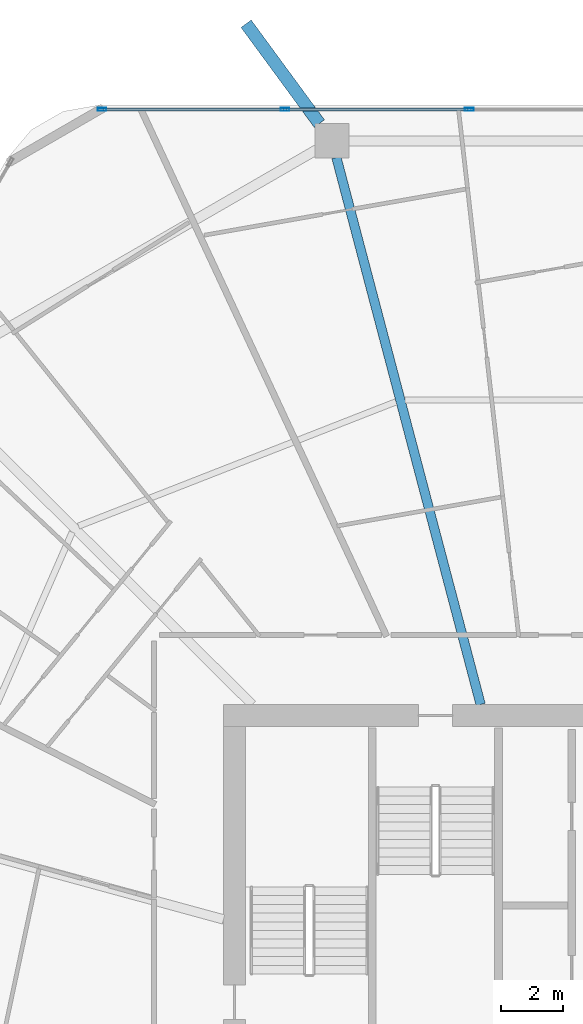
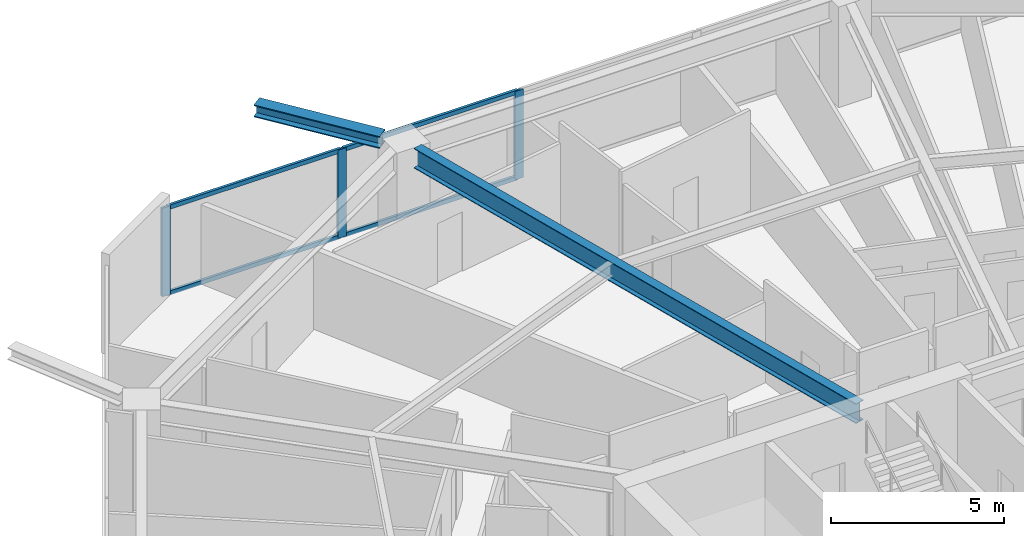
# One storey, part 14 of 29: 7 members, 2 beams, 1 element without a shape of its own.
"""IFC4 building model written with IfcOpenShell, lengths in metres."""

from ifc_helpers import new_model, si_unit, direction, frame, origin, origin_2d, place, context, subcontext, project, spatial, hollow_rectangle, i_section, extrude, material, material_profile, profile_set, type_object, element, aggregate, save


model = new_model("IFC4")

# Units and contexts
model_context = context("Model", 3, precision=1e-05, world=origin(), true_north=direction((0.0, 1.0)))
body_context = subcontext(model_context, "Body", "Model", "MODEL_VIEW")
ifc_project = project(units=[si_unit("LENGTHUNIT", "METRE"), si_unit("AREAUNIT", "SQUARE_METRE"), si_unit("VOLUMEUNIT", "CUBIC_METRE"), si_unit("PLANEANGLEUNIT", "RADIAN"), si_unit("MASSUNIT", "GRAM", prefix="KILO")], contexts=[model_context])

# Site, building, storey
site_placement = place(None, origin())
site = spatial("IfcSite", under=ifc_project, at=site_placement, CompositionType="ELEMENT")
building_placement = place(site_placement, origin())
building = spatial("IfcBuilding", under=site, at=building_placement, Name="Zuhravey Tower", CompositionType="ELEMENT")
storey_placement = place(building_placement, frame((0.0, 0.0, 134.199951171875)))
storey = spatial("IfcBuildingStorey", under=building, at=storey_placement, Name="L33", CompositionType="ELEMENT", Elevation=134.199951171875)

# Curtain wall, members
ifc_material_1 = material(Name="Thermally broken anodised aluminium", Category="aluminium")
curtain_wall_type = type_object("IfcCurtainWallType", Name="Zone 1-2 Residential Curtain Wall CW3", PredefinedType="NOTDEFINED", material=ifc_material_1)
curtain_wall_placement = place(storey_placement, origin())
curtain_wall = element("IfcCurtainWall", 1, at=curtain_wall_placement, inside=storey, type_object=curtain_wall_type, Name="L33 CW3 CW-L33-F2-1", PredefinedType="NOTDEFINED")
ifc_material_2 = material(Name="Anodised aluminium", Category="aluminium")
ifc_material_profile_1 = material_profile(ifc_material_2, hollow_rectangle(XDim=0.090087890625, YDim=0.284912109375, WallThickness=0.0048828125, at=origin_2d()), Name="ALU-RHS-90x285x5")
ifc_profile_set_1 = profile_set([ifc_material_profile_1], Name="Anodised aluminium")
member_type_1 = type_object("IfcMemberType", Name="Curtain-Wall Mullion 90x180", PredefinedType="MULLION", material=ifc_profile_set_1)
member_1_placement = place(storey_placement, frame((21.24560546875, 60.95849609375, 0.0), z_axis=(0.0, 0.0, 1.0), x_axis=(0.0, 1.0, 0.0)))
member_1 = element("IfcMember", 2, at=member_1_placement, type_object=member_type_1, Name="CW3 mullion 1", PredefinedType="MULLION", context=body_context, shape_type="SweptSolid", body=[
    extrude(hollow_rectangle(XDim=0.090087890625, YDim=0.284912109375, WallThickness=0.0048828125, at=origin_2d()), origin(), (0.0, 0.0, 1.0), 3.1220703125),
])
member_2_placement = place(storey_placement, frame((27.120361328125, 60.95849609375, 0.0), z_axis=(0.0, 0.0, 1.0), x_axis=(0.0, 1.0, 0.0)))
member_2 = element("IfcMember", 3, at=member_2_placement, type_object=member_type_1, Name="CW3 mullion 2", PredefinedType="MULLION", context=body_context, shape_type="SweptSolid", body=[
    extrude(hollow_rectangle(XDim=0.090087890625, YDim=0.284912109375, WallThickness=0.0048828125, at=origin_2d()), origin(), (0.0, 0.0, 1.0), 3.1220703125),
])
member_3_placement = place(storey_placement, frame((33.0400390625, 60.95849609375, 0.0), z_axis=(0.0, 0.0, 1.0), x_axis=(0.0, 1.0, 0.0)))
member_3 = element("IfcMember", 4, at=member_3_placement, type_object=member_type_1, Name="CW3 mullion 3", PredefinedType="MULLION", context=body_context, shape_type="SweptSolid", body=[
    extrude(hollow_rectangle(XDim=0.090087890625, YDim=0.284912109375, WallThickness=0.0048828125, at=origin_2d()), origin(), (0.0, 0.0, 1.0), 3.1220703125),
])
ifc_material_profile_2 = material_profile(ifc_material_2, hollow_rectangle(XDim=0.090087890625, YDim=0.14990234375, WallThickness=0.0048828125, at=origin_2d()), Name="ALU-RHS-90x150x5")
ifc_profile_set_2 = profile_set([ifc_material_profile_2], Name="Anodised aluminium")
member_type_2 = type_object("IfcMemberType", Name="Curtain-Wall Transom 90x150", PredefinedType="USERDEFINED", material=ifc_profile_set_2)
member_4_placement = place(storey_placement, frame((21.29052734375, 60.95849609375, 0.045166015625), z_axis=(1.0, 0.0, 0.0), x_axis=(0.0, 1.0, 0.0)))
member_4 = element("IfcMember", 5, at=member_4_placement, type_object=member_type_2, Name="CW3 transom 1.1", ObjectType="TRANSOM", PredefinedType="USERDEFINED", context=body_context, shape_type="SweptSolid", body=[
    extrude(hollow_rectangle(XDim=0.090087890625, YDim=0.14990234375, WallThickness=0.0048828125, at=origin_2d()), origin(), (0.0, 0.0, 1.0), 5.78466796875),
])
member_5_placement = place(storey_placement, frame((21.29052734375, 60.95849609375, 3.0771484375), z_axis=(1.0, 0.0, 0.0), x_axis=(0.0, 1.0, 0.0)))
member_5 = element("IfcMember", 6, at=member_5_placement, type_object=member_type_2, Name="CW3 transom 1.2", ObjectType="TRANSOM", PredefinedType="USERDEFINED", context=body_context, shape_type="SweptSolid", body=[
    extrude(hollow_rectangle(XDim=0.090087890625, YDim=0.14990234375, WallThickness=0.0048828125, at=origin_2d()), origin(), (0.0, 0.0, 1.0), 5.78466796875),
])
member_6_placement = place(storey_placement, frame((27.165283203125, 60.95849609375, 0.045166015625), z_axis=(1.0, 0.0, 0.0), x_axis=(0.0, 1.0, 0.0)))
member_6 = element("IfcMember", 7, at=member_6_placement, type_object=member_type_2, Name="CW3 transom 2.1", ObjectType="TRANSOM", PredefinedType="USERDEFINED", context=body_context, shape_type="SweptSolid", body=[
    extrude(hollow_rectangle(XDim=0.090087890625, YDim=0.14990234375, WallThickness=0.0048828125, at=origin_2d()), origin(), (0.0, 0.0, 1.0), 5.829833984375),
])
member_7_placement = place(storey_placement, frame((27.165283203125, 60.95849609375, 3.0771484375), z_axis=(1.0, 0.0, 0.0), x_axis=(0.0, 1.0, 0.0)))
member_7 = element("IfcMember", 8, at=member_7_placement, type_object=member_type_2, Name="CW3 transom 2.2", ObjectType="TRANSOM", PredefinedType="USERDEFINED", context=body_context, shape_type="SweptSolid", body=[
    extrude(hollow_rectangle(XDim=0.090087890625, YDim=0.14990234375, WallThickness=0.0048828125, at=origin_2d()), origin(), (0.0, 0.0, 1.0), 5.829833984375),
])
aggregate(curtain_wall, [member_1, member_2, member_3, member_4, member_5, member_6, member_7])

# Beams
ifc_material_3 = material(Name="Steel SM460", Category="steel")
ifc_material_profile_3 = material_profile(ifc_material_3, i_section(OverallWidth=0.406982421875, OverallDepth=0.427978515625, WebThickness=0.02001953125, FlangeThickness=0.034912109375, at=origin_2d()), Name="H-428x407x20x35")
ifc_profile_set_3 = profile_set([ifc_material_profile_3], Name="Steel SM460")
beam_type_1 = type_object("IfcBeamType", Name="Exoskeleton Node Tie Beam H428x407", PredefinedType="BEAM", material=ifc_profile_set_3)
beam_1_placement = place(storey_placement, frame((28.223876953125, 60.501708984375, 3.3359375), z_axis=(-0.591653859, 0.806192105599, 0.0), x_axis=(-0.806192105599, -0.591653859, 0.0)))
element("IfcBeam", 9, at=beam_1_placement, inside=storey, type_object=beam_type_1, Name="L33 Exoskeleton Node Tie NT1-04", PredefinedType="BEAM", context=body_context, shape_type="SweptSolid", body=[
    extrude(i_section(OverallWidth=0.406982421875, OverallDepth=0.427978515625, WebThickness=0.02001953125, FlangeThickness=0.034912109375, at=origin_2d()), origin(), (0.0, 0.0, 1.0), 3.974853515625),
])
ifc_material_4 = material(Name="Steel SM355", Category="steel")
ifc_material_profile_4 = material_profile(ifc_material_4, i_section(OverallWidth=0.300048828125, OverallDepth=0.699951171875, WebThickness=0.012939453125, FlangeThickness=0.02392578125, at=origin_2d()), Name="H-700x300x13x24")
ifc_profile_set_4 = profile_set([ifc_material_profile_4], Name="Steel SM355")
beam_type_2 = type_object("IfcBeamType", Name="Radial Primary Girder H700x300", PredefinedType="BEAM", material=ifc_profile_set_4)
beam_2_placement = place(storey_placement, frame((33.40185546875, 41.85302734375, 3.199951171875), z_axis=(-0.25498755891, 0.966944333869, 0.0), x_axis=(-0.966944333869, -0.25498755891, 0.0)))
element("IfcBeam", 10, at=beam_2_placement, inside=storey, type_object=beam_type_2, Name="L33 RG1 BM-L33-RAD-04", PredefinedType="BEAM", context=body_context, shape_type="SweptSolid", body=[
    extrude(i_section(OverallWidth=0.300048828125, OverallDepth=0.699951171875, WebThickness=0.012939453125, FlangeThickness=0.02392578125, at=origin_2d()), origin(), (0.0, 0.0, 1.0), 18.1611328125),
])

save(model, "model.ifc")
